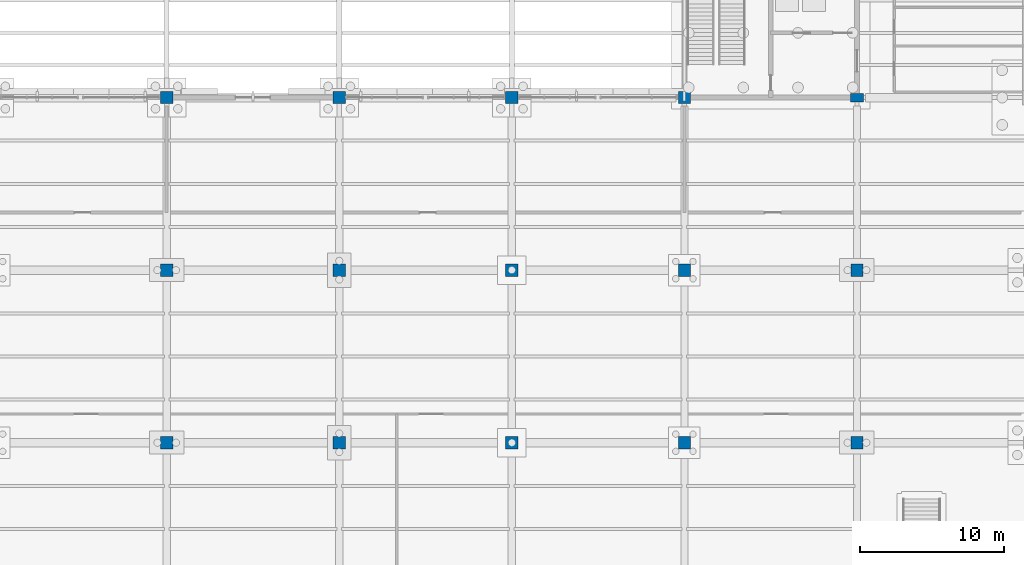
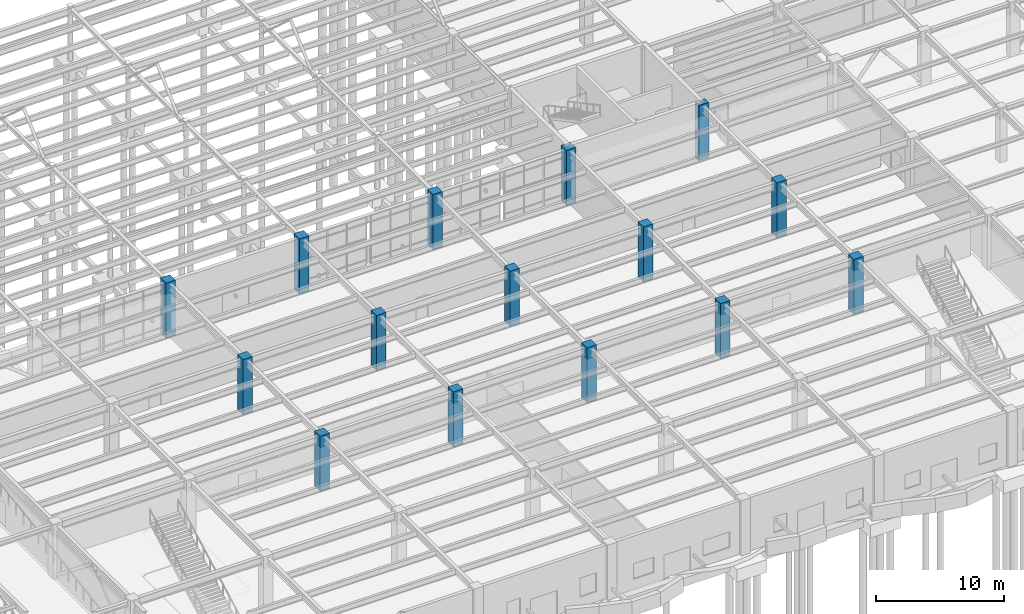
# One storey, part 17 of 85: 15 columns.
"""IFC4 building model written with IfcOpenShell, lengths in metres."""

from ifc_helpers import new_model, si_unit, direction, frame, origin, origin_2d, place, context, subcontext, project, spatial, rectangle, extrude, material, material_profile, profile_set, type_object, element, save


model = new_model("IFC4")

# Units and contexts
model_context = context("Model", 3, precision=1e-05, world=origin(), true_north=direction((0.0, 1.0)))
body_context = subcontext(model_context, "Body", "Model", "MODEL_VIEW")
ifc_project = project(units=[si_unit("LENGTHUNIT", "METRE"), si_unit("AREAUNIT", "SQUARE_METRE"), si_unit("VOLUMEUNIT", "CUBIC_METRE"), si_unit("PLANEANGLEUNIT", "RADIAN"), si_unit("MASSUNIT", "GRAM", prefix="KILO")], contexts=[model_context])

# Site, building, storey
site_placement = place(None, origin())
site = spatial("IfcSite", under=ifc_project, at=site_placement, CompositionType="ELEMENT")
building_placement = place(site_placement, origin())
building = spatial("IfcBuilding", under=site, at=building_placement, Name="Keelwater Ferry Terminal", CompositionType="ELEMENT")
storey_placement = place(building_placement, origin())
storey = spatial("IfcBuildingStorey", under=building, at=storey_placement, Name="L00", CompositionType="ELEMENT", Elevation=0.0)

# Columns
ifc_material_1 = material(Name="Concrete C50/60", Category="concrete")
ifc_material_profile_1 = material_profile(ifc_material_1, rectangle(XDim=0.85009765625, YDim=0.85009765625, at=origin_2d()), Name="RC 850x850")
ifc_profile_set_1 = profile_set([ifc_material_profile_1], Name="Concrete C50/60")
column_type_1 = type_object("IfcColumnType", Name="C1 RC 850x850", PredefinedType="COLUMN", material=ifc_profile_set_1)
for number, where, z_axis, x_axis, name in (
    (1, (72.0, 66.0, 0.0), (0.0, 0.0, 1.0), (1.0, 0.0, 0.0), "Column CL-L00-0130"),
    (2, (72.0, 78.0, 0.0), (0.0, 0.0, 1.0), (1.0, 0.0, 0.0), "Column CL-L00-0131"),
    (3, (72.0, 90.0, 0.0), (0.0, 0.0, 1.0), (1.0, 0.0, 0.0), "Column CL-L00-0132"),
    (4, (84.0, 66.0, 0.0), (0.0, 0.0, 1.0), (1.0, 0.0, 0.0), "Column CL-L00-0143"),
    (5, (84.0, 78.0, 0.0), (0.0, 0.0, 1.0), (1.0, 0.0, 0.0), "Column CL-L00-0144"),
    (6, (84.0, 90.0, 0.0), (0.0, 0.0, 1.0), (1.0, 0.0, 0.0), "Column CL-L00-0145"),
    (7, (96.0, 66.0, 0.0), (0.0, 0.0, 1.0), (1.0, 0.0, 0.0), "Column CL-L00-0156"),
    (8, (96.0, 78.0, 0.0), (0.0, 0.0, 1.0), (1.0, 0.0, 0.0), "Column CL-L00-0157"),
    (9, (96.0, 90.0, 0.0), (0.0, 0.0, 1.0), (1.0, 0.0, 0.0), "Column CL-L00-0158"),
    (10, (108.0, 66.0, 0.0), (0.0, 0.0, 1.0), (1.0, 0.0, 0.0), "Column CL-L00-0169"),
    (11, (108.0, 78.0, 0.0), (0.0, 0.0, 1.0), (1.0, 0.0, 0.0), "Column CL-L00-0170"),
    (12, (120.0, 66.0, 0.0), (0.0, 0.0, 1.0), (1.0, 0.0, 0.0), "Column CL-L00-0201"),
    (13, (120.0, 78.0, 0.0), (0.0, 0.0, 1.0), (1.0, 0.0, 0.0), "Column CL-L00-0202"),
):
    element("IfcColumn", number, at=place(storey_placement, frame(where, z_axis=z_axis, x_axis=x_axis)), inside=storey, type_object=column_type_1, Name=name, PredefinedType="COLUMN", context=body_context, shape_type="SweptSolid", body=[
        extrude(rectangle(XDim=0.85009765625, YDim=0.85009765625, at=origin_2d()), origin(), (0.0, 0.0, 1.0), 5.239990234375),
    ])
ifc_material_2 = material(Name="Concrete C50/60", Category="concrete")
ifc_material_profile_2 = material_profile(ifc_material_2, rectangle(XDim=0.85009765625, YDim=0.85009765625, at=origin_2d()), Name="RC 850x850")
ifc_profile_set_2 = profile_set([ifc_material_profile_2], Name="Concrete C50/60")
column_type_2 = type_object("IfcColumnType", Name="C1E RC 850x850", PredefinedType="COLUMN", material=ifc_profile_set_2)
column_1_placement = place(storey_placement, frame((108.0, 90.0, 0.0), z_axis=(0.0, 0.0, 1.0), x_axis=(1.0, 0.0, 0.0)))
element("IfcColumn", 14, at=column_1_placement, inside=storey, type_object=column_type_2, Name="Column CL-L00-0171", PredefinedType="COLUMN", context=body_context, shape_type="SweptSolid", body=[
    extrude(rectangle(XDim=0.85009765625, YDim=0.85009765625, at=origin_2d()), origin(), (0.0, 0.0, 1.0), 5.239990234375),
])
ifc_material_3 = material(Name="Concrete C45/55", Category="concrete")
ifc_material_profile_3 = material_profile(ifc_material_3, rectangle(XDim=0.60009765625, YDim=0.89990234375, at=origin_2d()), Name="RC 900x600")
ifc_profile_set_3 = profile_set([ifc_material_profile_3], Name="Concrete C45/55")
column_type_3 = type_object("IfcColumnType", Name="PL1E RC 900x600", PredefinedType="PILASTER", material=ifc_profile_set_3)
column_2_placement = place(storey_placement, frame((120.0, 90.0, 0.0), z_axis=(0.0, 0.0, 1.0), x_axis=(0.0, 1.0, 0.0)))
element("IfcColumn", 15, at=column_2_placement, inside=storey, type_object=column_type_3, Name="Column CL-L00-0203", PredefinedType="PILASTER", context=body_context, shape_type="SweptSolid", body=[
    extrude(rectangle(XDim=0.60009765625, YDim=0.89990234375, at=origin_2d()), origin(), (0.0, 0.0, 1.0), 5.239990234375),
])

save(model, "model.ifc")
